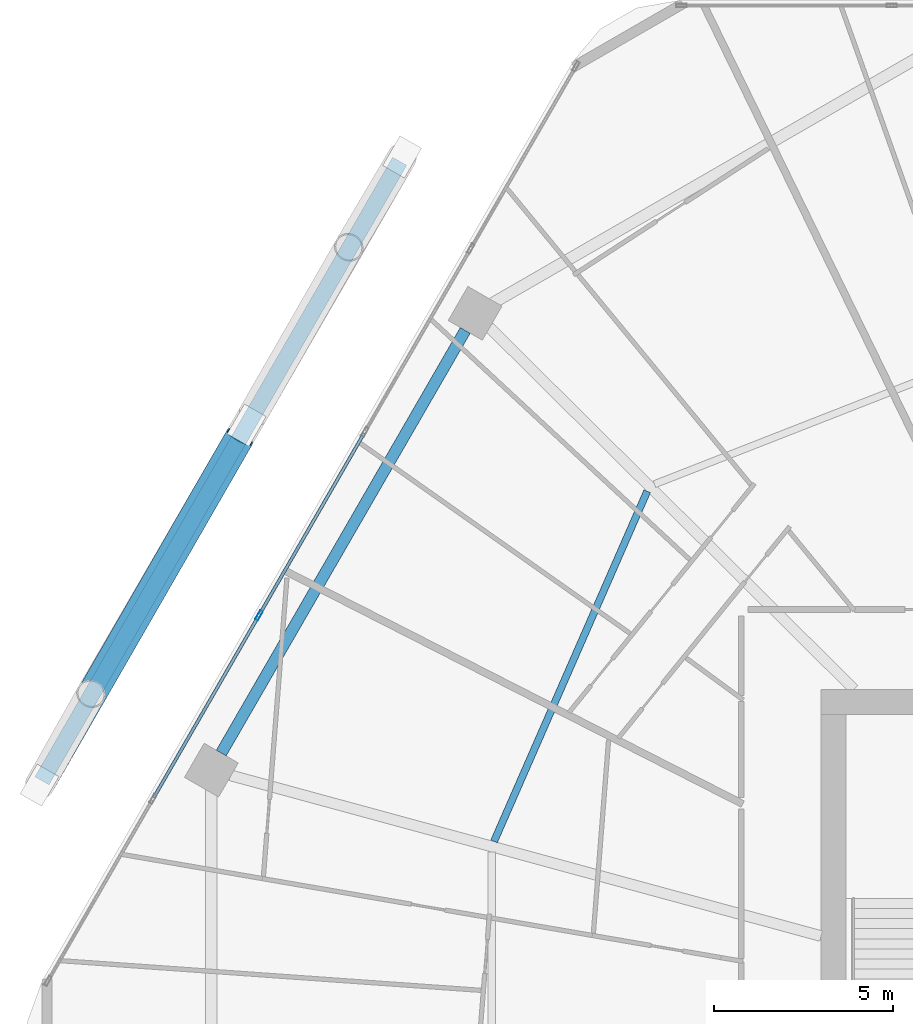
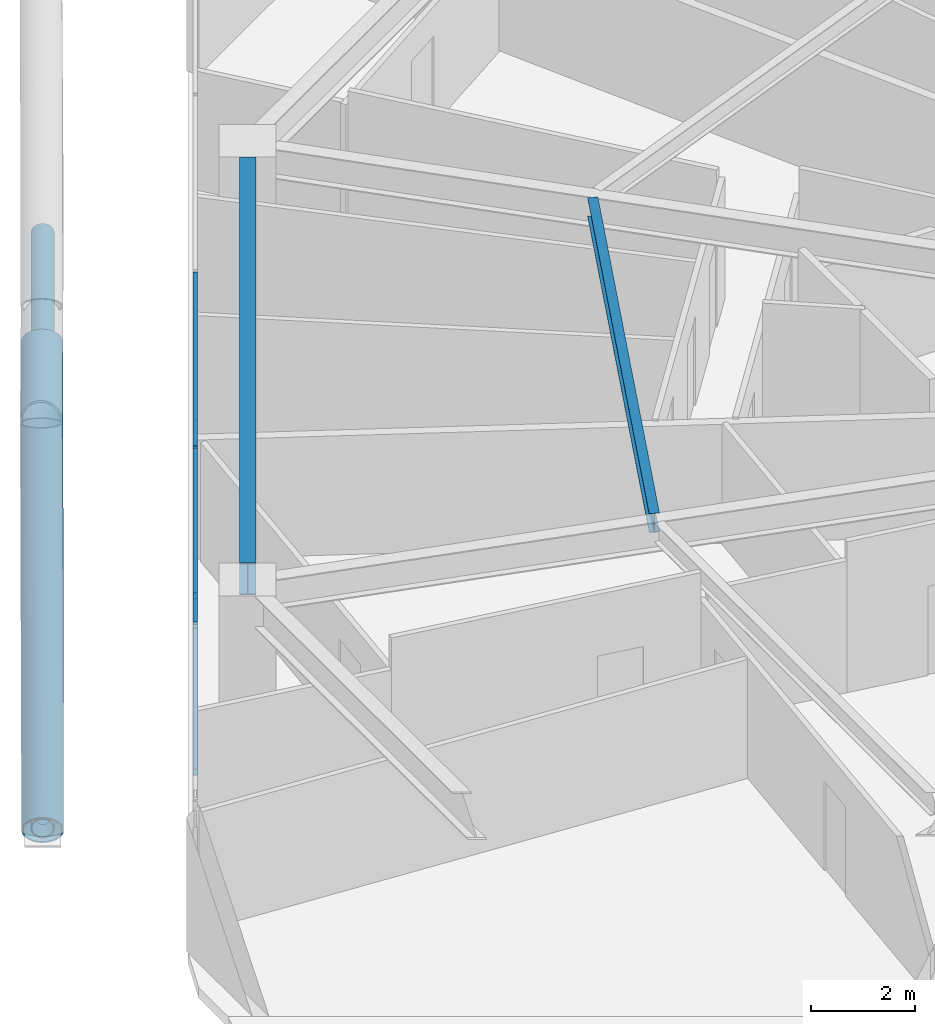
# One storey, part 14 of 35: 7 members, 2 beams, 1 element without a shape of its own.
"""IFC4 building model written with IfcOpenShell, lengths in metres."""

from ifc_helpers import new_model, si_unit, direction, frame, origin, origin_2d, place, context, subcontext, project, spatial, hollow_rectangle, hollow_circle, i_section, extrude, material, material_profile, profile_set, type_object, element, aggregate, save


model = new_model("IFC4")

# Units and contexts
model_context = context("Model", 3, precision=1e-05, world=origin(), true_north=direction((0.0, 1.0)))
body_context = subcontext(model_context, "Body", "Model", "MODEL_VIEW")
ifc_project = project(units=[si_unit("LENGTHUNIT", "METRE"), si_unit("AREAUNIT", "SQUARE_METRE"), si_unit("VOLUMEUNIT", "CUBIC_METRE"), si_unit("PLANEANGLEUNIT", "RADIAN"), si_unit("MASSUNIT", "GRAM", prefix="KILO")], contexts=[model_context])

# Site, building, storey
site_placement = place(None, origin())
site = spatial("IfcSite", under=ifc_project, at=site_placement, CompositionType="ELEMENT")
building_placement = place(site_placement, origin())
building = spatial("IfcBuilding", under=site, at=building_placement, Name="Zuhravey Tower", CompositionType="ELEMENT")
storey_placement = place(building_placement, frame((0.0, 0.0, 122.800048828125)))
storey = spatial("IfcBuildingStorey", under=building, at=storey_placement, Name="L30", CompositionType="ELEMENT", Elevation=122.800048828125)

# Curtain wall, members
ifc_material_1 = material(Name="Thermally broken anodised aluminium", Category="aluminium")
curtain_wall_type = type_object("IfcCurtainWallType", Name="Zone 1-2 Residential Curtain Wall CW3", PredefinedType="NOTDEFINED", material=ifc_material_1)
curtain_wall_placement = place(storey_placement, origin())
curtain_wall = element("IfcCurtainWall", 1, at=curtain_wall_placement, inside=storey, type_object=curtain_wall_type, Name="L30 CW3 CW-L30-F3-1", PredefinedType="NOTDEFINED")
ifc_material_2 = material(Name="Anodised aluminium", Category="aluminium")
ifc_material_profile_1 = material_profile(ifc_material_2, hollow_rectangle(XDim=0.090087890625, YDim=0.284912109375, WallThickness=0.0048828125, at=origin_2d()), Name="ALU-RHS-90x285x5")
ifc_profile_set_1 = profile_set([ifc_material_profile_1], Name="Anodised aluminium")
member_type_1 = type_object("IfcMemberType", Name="Curtain-Wall Mullion 90x180", PredefinedType="MULLION", material=ifc_profile_set_1)
member_1_placement = place(storey_placement, frame((9.44140625, 43.916015625, 0.0), z_axis=(0.0, 0.0, 1.0), x_axis=(-0.86602552265, 0.499999794119, 0.0)))
member_1 = element("IfcMember", 2, at=member_1_placement, type_object=member_type_1, Name="CW3 mullion 3", PredefinedType="MULLION", context=body_context, shape_type="SweptSolid", body=[
    extrude(hollow_rectangle(XDim=0.090087890625, YDim=0.284912109375, WallThickness=0.0048828125, at=origin_2d()), origin(), (0.0, 0.0, 1.0), 3.550048828125),
])
ifc_material_profile_2 = material_profile(ifc_material_2, hollow_rectangle(XDim=0.090087890625, YDim=0.14990234375, WallThickness=0.0048828125, at=origin_2d()), Name="ALU-RHS-90x150x5")
ifc_profile_set_2 = profile_set([ifc_material_profile_2], Name="Anodised aluminium")
member_type_2 = type_object("IfcMemberType", Name="Curtain-Wall Transom 90x150", PredefinedType="USERDEFINED", material=ifc_profile_set_2)
member_2_placement = place(storey_placement, frame((6.50390625, 38.828125, 0.044921875), z_axis=(0.499981042766, 0.866036348472, 0.0), x_axis=(-0.866036348472, 0.499981042766, 0.0)))
member_2 = element("IfcMember", 3, at=member_2_placement, type_object=member_type_2, Name="CW3 transom 2.1", ObjectType="TRANSOM", PredefinedType="USERDEFINED", context=body_context, shape_type="SweptSolid", body=[
    extrude(hollow_rectangle(XDim=0.090087890625, YDim=0.14990234375, WallThickness=0.0048828125, at=origin_2d()), origin(), (0.0, 0.0, 1.0), 5.829833984375),
])
member_3_placement = place(storey_placement, frame((6.50390625, 38.828125, 3.5048828125), z_axis=(0.499981042766, 0.866036348472, 0.0), x_axis=(-0.866036348472, 0.499981042766, 0.0)))
member_3 = element("IfcMember", 4, at=member_3_placement, type_object=member_type_2, Name="CW3 transom 2.2", ObjectType="TRANSOM", PredefinedType="USERDEFINED", context=body_context, shape_type="SweptSolid", body=[
    extrude(hollow_rectangle(XDim=0.090087890625, YDim=0.14990234375, WallThickness=0.0048828125, at=origin_2d()), origin(), (0.0, 0.0, 1.0), 5.829833984375),
])
member_4_placement = place(storey_placement, frame((9.4638671875, 43.954833984375, 0.044921875), z_axis=(0.499981042766, 0.866036348472, 0.0), x_axis=(-0.866036348472, 0.499981042766, 0.0)))
member_4 = element("IfcMember", 5, at=member_4_placement, type_object=member_type_2, Name="CW3 transom 3.1", ObjectType="TRANSOM", PredefinedType="USERDEFINED", context=body_context, shape_type="SweptSolid", body=[
    extrude(hollow_rectangle(XDim=0.090087890625, YDim=0.14990234375, WallThickness=0.0048828125, at=origin_2d()), origin(), (0.0, 0.0, 1.0), 5.829833984375),
])
member_5_placement = place(storey_placement, frame((9.4638671875, 43.954833984375, 3.5048828125), z_axis=(0.499981042766, 0.866036348472, 0.0), x_axis=(-0.866036348472, 0.499981042766, 0.0)))
member_5 = element("IfcMember", 6, at=member_5_placement, type_object=member_type_2, Name="CW3 transom 3.2", ObjectType="TRANSOM", PredefinedType="USERDEFINED", context=body_context, shape_type="SweptSolid", body=[
    extrude(hollow_rectangle(XDim=0.090087890625, YDim=0.14990234375, WallThickness=0.0048828125, at=origin_2d()), origin(), (0.0, 0.0, 1.0), 5.829833984375),
])
aggregate(curtain_wall, [member_1, member_2, member_3, member_4, member_5])

# Members
ifc_material_3 = material(Name="Steel SM355", Category="steel")
ifc_material_profile_3 = material_profile(ifc_material_3, hollow_circle(Radius=0.228515625, WallThickness=0.02197265625, at=origin_2d()), Name="CHS-457.2x22")
ifc_profile_set_3 = profile_set([ifc_material_profile_3], Name="Steel SM355")
member_type_3 = type_object("IfcMemberType", Name="Exoskeleton Ring Tie CHS457x22", PredefinedType="CHORD", material=ifc_profile_set_3)
member_6_placement = place(storey_placement, frame((13.37353515625, 56.606689453125, -0.464111328125), z_axis=(-0.500001503855, -0.866024535532, 0.0), x_axis=(0.866024535532, -0.500001503855, 0.0)))
element("IfcMember", 7, at=member_6_placement, inside=storey, type_object=member_type_3, Name="L30 Exoskeleton Face 3 Tie EXR1", PredefinedType="CHORD", context=body_context, shape_type="SweptSolid", body=[
    extrude(hollow_circle(Radius=0.228515625, WallThickness=0.02197265625, at=origin_2d()), origin(), (0.0, 0.0, 1.0), 19.99365234375),
])
ifc_material_4 = material(Name="Steel SM460", Category="steel")
ifc_material_profile_4 = material_profile(ifc_material_4, hollow_circle(Radius=0.406494140625, WallThickness=0.035888671875, at=origin_2d()), Name="CHS-812.8x36")
ifc_profile_set_4 = profile_set([ifc_material_profile_4], Name="Steel SM460")
member_type_4 = type_object("IfcMemberType", Name="Exoskeleton Zone 1 Diagrid CHS813x36", PredefinedType="BRACE", material=ifc_profile_set_4)
member_7_placement = place(storey_placement, frame((3.332763671875, 39.215576171875, -0.447021484375), z_axis=(0.474116728479, 0.823664703485, 0.311110565571), x_axis=(-0.866674532719, 0.498873986429, 0.0)))
element("IfcMember", 8, at=member_7_placement, inside=storey, type_object=member_type_4, Name="L30 Face 3 Split Diagrid Brace 3A", PredefinedType="BRACE", context=body_context, shape_type="SweptSolid", body=[
    extrude(hollow_circle(Radius=0.406494140625, WallThickness=0.035888671875, at=origin_2d()), origin(), (0.0, 0.0, 1.0), 11.76318359375),
])

# Beams
ifc_material_profile_5 = material_profile(ifc_material_3, i_section(OverallWidth=0.320068359375, OverallDepth=0.75, WebThickness=0.013916015625, FlangeThickness=0.02490234375, at=origin_2d()), Name="H-750x320x14x25")
ifc_profile_set_5 = profile_set([ifc_material_profile_5], Name="Steel SM355")
beam_type_1 = type_object("IfcBeamType", Name="Perimeter Ring Beam H750x320", PredefinedType="BEAM", material=ifc_profile_set_5)
beam_1_placement = place(storey_placement, frame((15.20458984375, 51.8779296875, 3.175048828125), z_axis=(-0.500008177929, -0.866020682204, 0.0), x_axis=(0.866020682204, -0.500008177929, 0.0)))
element("IfcBeam", 9, at=beam_1_placement, inside=storey, type_object=beam_type_1, Name="L30 PB1 BM-L30-PB-05", PredefinedType="BEAM", context=body_context, shape_type="SweptSolid", body=[
    extrude(i_section(OverallWidth=0.320068359375, OverallDepth=0.75, WebThickness=0.013916015625, FlangeThickness=0.02490234375, at=origin_2d()), origin(), (0.0, 0.0, 1.0), 13.634033203125),
])
ifc_material_profile_6 = material_profile(ifc_material_3, i_section(OverallWidth=0.199951171875, OverallDepth=0.449951171875, WebThickness=0.009033203125, FlangeThickness=0.013916015625, at=origin_2d()), Name="H-450x200x9x14")
ifc_profile_set_6 = profile_set([ifc_material_profile_6], Name="Steel SM355")
beam_type_2 = type_object("IfcBeamType", Name="Secondary Floor Joist H450x200", PredefinedType="JOIST", material=ifc_profile_set_6)
beam_2_placement = place(storey_placement, frame((20.28955078125, 47.384033203125, 3.324951171875), z_axis=(-0.400786454617, -0.916171500209, 0.0), x_axis=(0.916171500209, -0.400786454617, 0.0)))
element("IfcBeam", 10, at=beam_2_placement, inside=storey, type_object=beam_type_2, Name="L30 SJ1 BM-L30-SJ-05-1", PredefinedType="JOIST", context=body_context, shape_type="SweptSolid", body=[
    extrude(i_section(OverallWidth=0.199951171875, OverallDepth=0.449951171875, WebThickness=0.009033203125, FlangeThickness=0.013916015625, at=origin_2d()), origin(), (0.0, 0.0, 1.0), 10.6796875),
])

save(model, "model.ifc")
